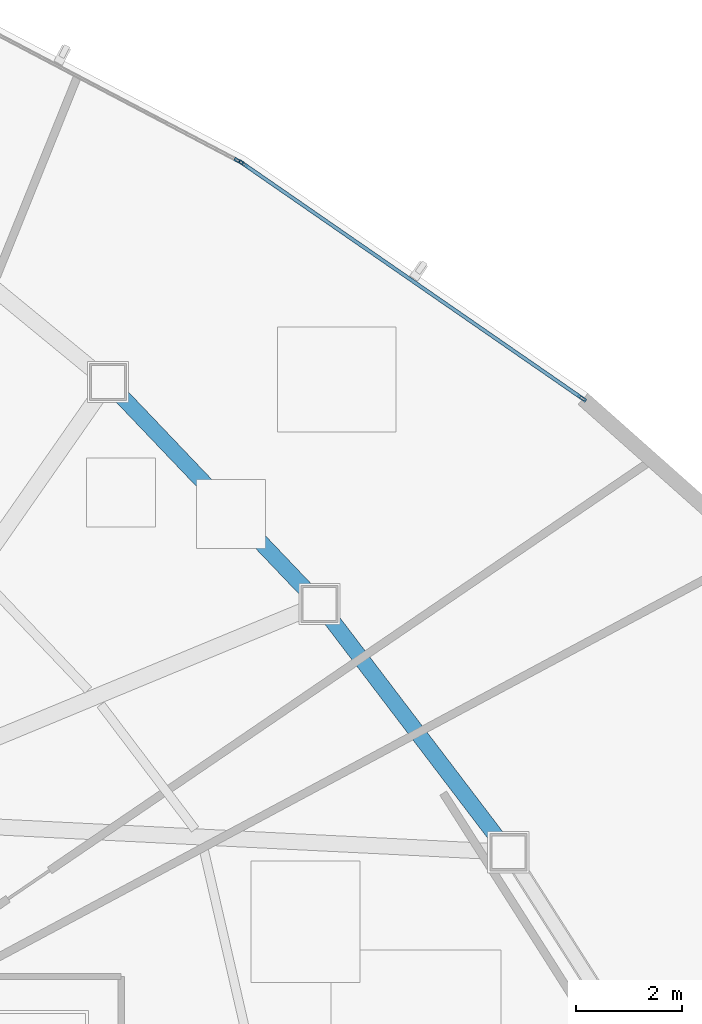
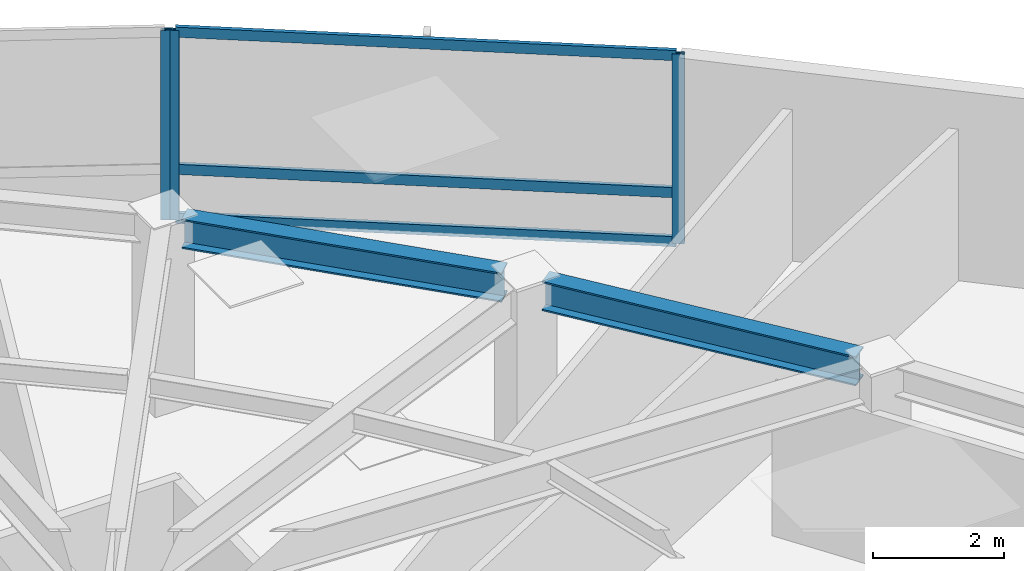
# One storey, part 9 of 17: 6 members, 2 beams, 2 elements without a shape of their own.
"""IFC4 building model written with IfcOpenShell, lengths in metres."""

from ifc_helpers import new_model, si_unit, direction, frame, origin, origin_2d, place, context, subcontext, project, spatial, hollow_rectangle, i_section, extrude, source, transform, mapped, material, layer, layer_set, material_profile, profile_set, type_object, type_shapes, element, aggregate, save


model = new_model("IFC4")

# Units and contexts
model_context = context("Model", 3, precision=1e-05, world=origin(), true_north=direction((0.0, 1.0)))
body_context = subcontext(model_context, "Body", "Model", "MODEL_VIEW")
ifc_project = project(units=[si_unit("LENGTHUNIT", "METRE"), si_unit("AREAUNIT", "SQUARE_METRE"), si_unit("VOLUMEUNIT", "CUBIC_METRE"), si_unit("PLANEANGLEUNIT", "RADIAN"), si_unit("MASSUNIT", "GRAM", prefix="KILO")], contexts=[model_context])

# Site, building, storey
site_placement = place(None, origin())
site = spatial("IfcSite", under=ifc_project, at=site_placement, CompositionType="ELEMENT")
building_placement = place(site_placement, origin())
building = spatial("IfcBuilding", under=site, at=building_placement, Name="Tavelor Broadcast Tower", CompositionType="ELEMENT")
storey_placement = place(building_placement, frame((0.0, 0.0, 154.10009765625)))
storey = spatial("IfcBuildingStorey", under=building, at=storey_placement, Name="L36", CompositionType="ELEMENT", Elevation=154.10009765625)

# Beams
ifc_material_1 = material(Name="Steel S355", Category="steel")
ifc_material_profile_1 = material_profile(ifc_material_1, i_section(OverallWidth=0.300048828125, OverallDepth=0.550048828125, WebThickness=0.014892578125, FlangeThickness=0.029052734375, at=origin_2d()), Name="HEB 550")
ifc_profile_set_1 = profile_set([ifc_material_profile_1], Name="Steel S355")
beam_type = type_object("IfcBeamType", Name="Perimeter Spandrel Beam T3 HEB 550", PredefinedType="SPANDREL", material=ifc_profile_set_1)
beam_1_placement = place(storey_placement, frame((69.6826171875, 50.8115234375, 3.27490234375), z_axis=(-0.605507005058, 0.795839975639, 0.0), x_axis=(-0.795839975639, -0.605507005058, 0.0)))
element("IfcBeam", 1, at=beam_1_placement, inside=storey, type_object=beam_type, Name="L36 Framed-Tube Ring Spandrel 14", PredefinedType="SPANDREL", context=body_context, shape_type="SweptSolid", body=[
    extrude(i_section(OverallWidth=0.300048828125, OverallDepth=0.550048828125, WebThickness=0.014892578125, FlangeThickness=0.029052734375, at=origin_2d()), origin(), (0.0, 0.0, 1.0), 5.214111328125),
])
beam_2_placement = place(storey_placement, frame((66.090087890625, 55.471923828125, 3.27490234375), z_axis=(-0.689928162502, 0.723877842309, 0.0), x_axis=(-0.723877842309, -0.689928162502, 0.0)))
element("IfcBeam", 2, at=beam_2_placement, inside=storey, type_object=beam_type, Name="L36 Framed-Tube Ring Spandrel 15", PredefinedType="SPANDREL", context=body_context, shape_type="SweptSolid", body=[
    extrude(i_section(OverallWidth=0.300048828125, OverallDepth=0.550048828125, WebThickness=0.014892578125, FlangeThickness=0.029052734375, at=origin_2d()), origin(), (0.0, 0.0, 1.0), 5.113037109375),
])

# Curtain wall, members
ifc_material_2 = material(Name="Architectural Anodized Aluminium", Category="aluminium")
ifc_layer = layer(ifc_material_2, 0.18994140625)
ifc_layer_set = layer_set([ifc_layer], Name="Architectural Anodized Aluminium")
curtain_wall_type = type_object("IfcCurtainWallType", Name="Tower Mid-Zone Acoustic Curtain Wall CW03", PredefinedType="NOTDEFINED", material=ifc_layer_set)
curtain_wall_1_placement = place(storey_placement, origin())
curtain_wall_1 = element("IfcCurtainWall", 3, at=curtain_wall_1_placement, inside=storey, type_object=curtain_wall_type, Name="L36 Curtain Wall CW03 Run 381", PredefinedType="NOTDEFINED")
ifc_material_profile_2 = material_profile(ifc_material_2, hollow_rectangle(XDim=0.068115234375, YDim=0.18994140625, WallThickness=0.02197265625, at=origin_2d()), Name="RHS 68x190x22")
ifc_profile_set_2 = profile_set([ifc_material_profile_2], Name="Architectural Anodized Aluminium")
member_type_1 = type_object("IfcMemberType", Name="CW03 Extruded Aluminium Mullion 68x190", PredefinedType="MULLION", material=ifc_profile_set_2)
shared_shape_1 = source(origin(), body_context, "Body", "SweptSolid", [
    extrude(hollow_rectangle(XDim=0.068115234375, YDim=0.18994140625, WallThickness=0.02197265625, at=origin_2d()), origin(), (0.0, 0.0, 1.0), 3.5498046875),
])
type_shapes(member_type_1, [shared_shape_1])
member_1_placement = place(storey_placement, frame((71.271240234375, 59.115478515625, 0.0), z_axis=(0.0, 0.0, 1.0), x_axis=(-0.568921291135, -0.822391977401, 0.0)))
member_1 = element("IfcMember", 4, at=member_1_placement, type_object=member_type_1, Name="CW03 mullion 1", PredefinedType="MULLION", context=body_context, shape_type="MappedRepresentation", body=[
    mapped(shared_shape_1, transform((0.0, 0.0, 0.0), scale=1.0)),
])
member_2_placement = place(storey_placement, frame((64.882568359375, 63.53515625, 0.0), z_axis=(0.0, 0.0, 1.0), x_axis=(-0.568921291135, -0.822391977401, 0.0)))
member_2 = element("IfcMember", 5, at=member_2_placement, type_object=member_type_1, Name="CW03 mullion 2", PredefinedType="MULLION", context=body_context, shape_type="MappedRepresentation", body=[
    mapped(shared_shape_1, transform((0.0, 0.0, 0.0), scale=1.0)),
])

# Curtain wall, member
curtain_wall_2_placement = place(storey_placement, origin())
curtain_wall_2 = element("IfcCurtainWall", 6, at=curtain_wall_2_placement, inside=storey, type_object=curtain_wall_type, Name="L36 Curtain Wall CW03 Run 382", PredefinedType="NOTDEFINED")
member_3_placement = place(storey_placement, frame((64.798828125, 63.5859375, 0.0), z_axis=(0.0, 0.0, 1.0), x_axis=(-0.465220986067, -0.88519457416, 0.0)))
member_3 = element("IfcMember", 7, at=member_3_placement, type_object=member_type_1, Name="CW03 mullion 1", PredefinedType="MULLION", context=body_context, shape_type="MappedRepresentation", body=[
    mapped(shared_shape_1, transform((0.0, 0.0, 0.0), scale=1.0)),
])
aggregate(curtain_wall_2, [member_3])

# Member
ifc_material_profile_3 = material_profile(ifc_material_2, hollow_rectangle(XDim=0.068115234375, YDim=0.18994140625, WallThickness=0.02197265625, at=origin_2d()), Name="RHS 68x190x22")
ifc_profile_set_3 = profile_set([ifc_material_profile_3], Name="Architectural Anodized Aluminium")
member_type_2 = type_object("IfcMemberType", Name="CW03 Extruded Aluminium Transom 68x190", PredefinedType="USERDEFINED", material=ifc_profile_set_3)
shared_shape_2 = source(origin(), body_context, "Body", "SweptSolid", [
    extrude(hollow_rectangle(XDim=0.068115234375, YDim=0.18994140625, WallThickness=0.02197265625, at=origin_2d()), origin(), (0.0, 0.0, 1.0), 7.7001953125),
])
type_shapes(member_type_2, [shared_shape_2])
member_4_placement = place(storey_placement, frame((71.2431640625, 59.134765625, 0.033935546875), z_axis=(-0.822371349098, 0.568951108781, 0.0), x_axis=(-0.568951108781, -0.822371349098, 0.0)))
member_4 = element("IfcMember", 8, at=member_4_placement, type_object=member_type_2, Name="CW03 transom 1.1", ObjectType="TRANSOM", PredefinedType="USERDEFINED", context=body_context, shape_type="MappedRepresentation", body=[
    mapped(shared_shape_2, transform((0.0, 0.0, 0.0), scale=1.0)),
])

member_5_placement = place(storey_placement, frame((71.2431640625, 59.134765625, 0.949951171875), z_axis=(-0.822371349098, 0.568951108781, 0.0), x_axis=(-0.568951108781, -0.822371349098, 0.0)))
member_5 = element("IfcMember", 9, at=member_5_placement, type_object=member_type_2, Name="CW03 transom 1.2", ObjectType="TRANSOM", PredefinedType="USERDEFINED", context=body_context, shape_type="MappedRepresentation", body=[
    mapped(shared_shape_2, transform((0.0, 0.0, 0.0), scale=1.0)),
])

member_6_placement = place(storey_placement, frame((71.2431640625, 59.134765625, 3.515869140625), z_axis=(-0.822371349098, 0.568951108781, 0.0), x_axis=(-0.568951108781, -0.822371349098, 0.0)))
member_6 = element("IfcMember", 10, at=member_6_placement, type_object=member_type_2, Name="CW03 transom 1.3", ObjectType="TRANSOM", PredefinedType="USERDEFINED", context=body_context, shape_type="MappedRepresentation", body=[
    mapped(shared_shape_2, transform((0.0, 0.0, 0.0), scale=1.0)),
])

aggregate(curtain_wall_1, [member_1, member_2, member_4, member_5, member_6])

save(model, "model.ifc")
